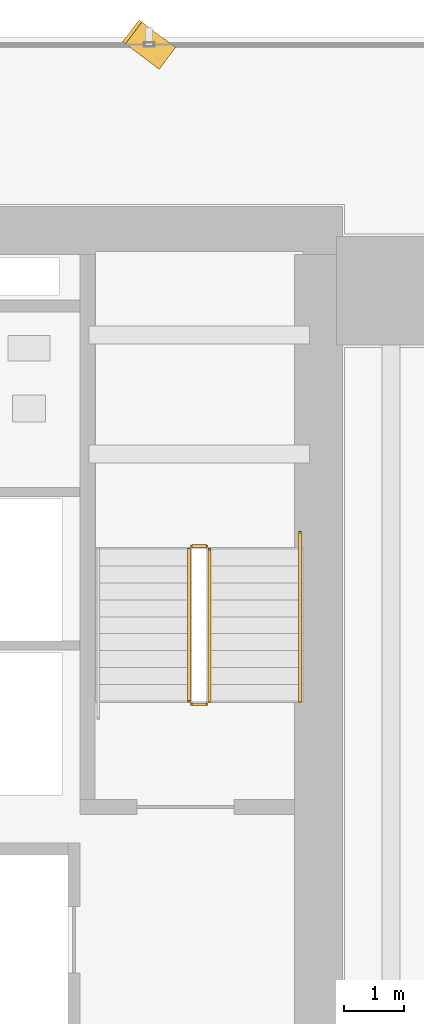
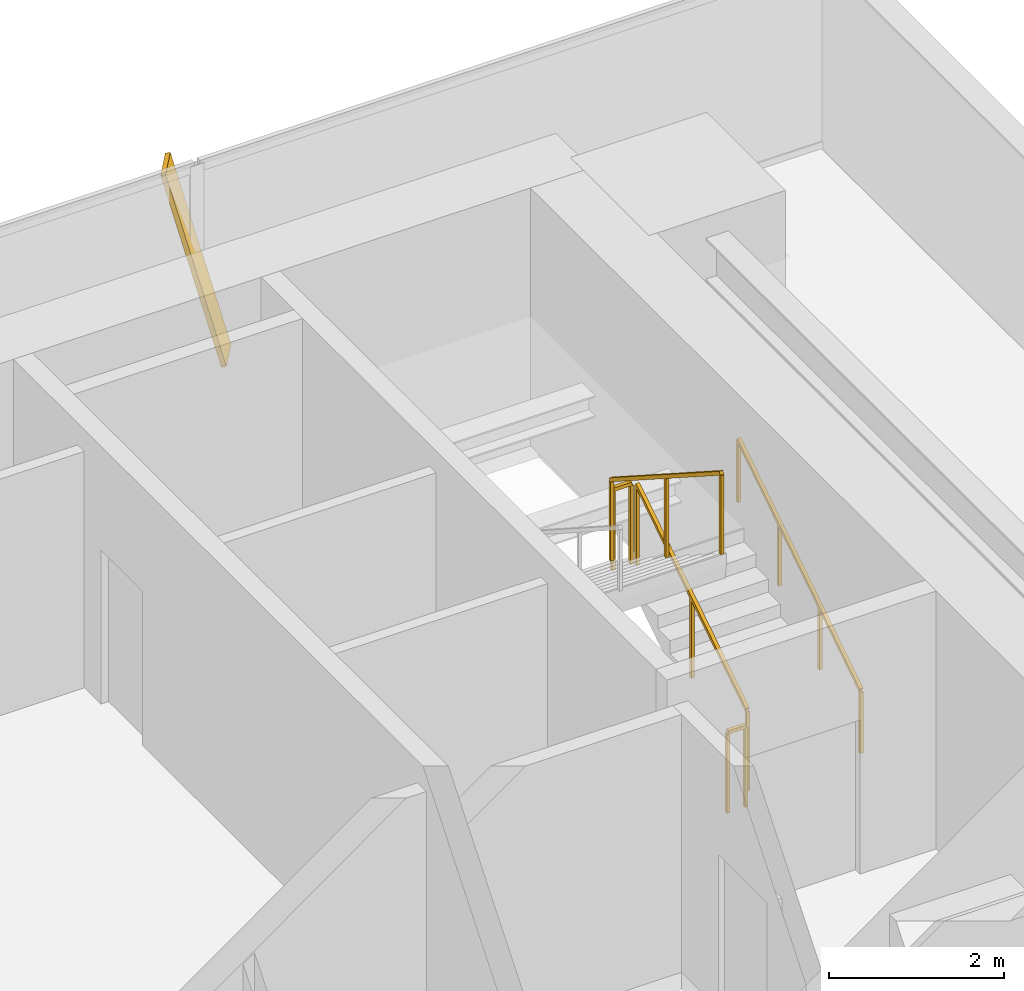
# One storey, part 32 of 33: 5 railings, 1 shading device.
"""IFC4 building model written with IfcOpenShell, lengths in metres."""

from ifc_helpers import new_model, si_unit, direction, frame, origin, origin_2d, place, context, subcontext, project, spatial, rectangle, extrude, source, transform, mapped, material, material_profile, profile_set, type_object, element, save


model = new_model("IFC4")

# Units and contexts
model_context = context("Model", 3, precision=1e-05, world=origin(), true_north=direction((0.0, 1.0)))
body_context = subcontext(model_context, "Body", "Model", "MODEL_VIEW")
ifc_project = project(units=[si_unit("LENGTHUNIT", "METRE"), si_unit("AREAUNIT", "SQUARE_METRE"), si_unit("VOLUMEUNIT", "CUBIC_METRE"), si_unit("PLANEANGLEUNIT", "RADIAN"), si_unit("MASSUNIT", "GRAM", prefix="KILO")], contexts=[model_context])

# Site, building, storey
site_placement = place(None, origin())
site = spatial("IfcSite", under=ifc_project, at=site_placement, CompositionType="ELEMENT")
building_placement = place(site_placement, origin())
building = spatial("IfcBuilding", under=site, at=building_placement, Name="Sumidabori Civic Tower", CompositionType="ELEMENT")
storey_placement = place(building_placement, frame((0.0, 0.0, 66.800048828125)))
storey = spatial("IfcBuildingStorey", under=building, at=storey_placement, Name="L17", CompositionType="ELEMENT", Elevation=66.800048828125)

# Railings
ifc_material_1 = material(Name="Stainless Steel Hairline Finish", Category="steel")
railing_type_1 = type_object("IfcRailingType", Name="RL-HANDRAIL", PredefinedType="HANDRAIL", material=ifc_material_1)
railing_1_placement = place(storey_placement, frame((15.2900390625, 16.0, 0.179931640625)))
element("IfcRailing", 1, at=railing_1_placement, inside=storey, type_object=railing_type_1, Name="L17 ST-2 stair handrail 1", PredefinedType="HANDRAIL", context=body_context, shape_type="SweptSolid", body=[
    extrude(rectangle(XDim=0.048095703125, YDim=0.048095703125, at=origin_2d()), frame((0.0, 0.0, 0.8759765625), z_axis=(0.0, 0.840675598268, 0.541539046124), x_axis=(-1.0, 0.0, 0.0)), (0.0, 0.0, 1.0), 3.330810546875),
    extrude(rectangle(XDim=0.0419921875, YDim=0.0419921875, at=origin_2d()), origin(), (0.0, 0.0, 1.0), 0.851806640625),
    extrude(rectangle(XDim=0.0419921875, YDim=0.0419921875, at=origin_2d()), frame((0.0, 0.933349609375, 0.601318359375)), (0.0, 0.0, 1.0), 0.851806640625),
    extrude(rectangle(XDim=0.0419921875, YDim=0.0419921875, at=origin_2d()), frame((0.0, 1.86669921875, 1.202392578125)), (0.0, 0.0, 1.0), 0.851806640625),
    extrude(rectangle(XDim=0.0419921875, YDim=0.0419921875, at=origin_2d()), frame((0.0, 2.800048828125, 1.8037109375)), (0.0, 0.0, 1.0), 0.851806640625),
])
ifc_material_2 = material(Name="Steel SN490", Category="steel")
railing_type_2 = type_object("IfcRailingType", Name="RL-STAIR-GUARD", PredefinedType="GUARDRAIL", material=ifc_material_2)
railing_2_placement = place(storey_placement, frame((13.7900390625, 16.0, 0.179931640625)))
element("IfcRailing", 2, at=railing_2_placement, inside=storey, type_object=railing_type_2, Name="L17 ST-2 stair guard 1", PredefinedType="GUARDRAIL", context=body_context, shape_type="SweptSolid", body=[
    extrude(rectangle(XDim=0.048095703125, YDim=0.048095703125, at=origin_2d()), frame((0.0, 0.0, 1.1259765625), z_axis=(0.0, 0.841162588446, 0.540782303519), x_axis=(-1.0, 0.0, 0.0)), (0.0, 0.0, 1.0), 2.995849609375),
    extrude(rectangle(XDim=0.0419921875, YDim=0.0419921875, at=origin_2d()), origin(), (0.0, 0.0, 1.0), 1.101806640625),
    extrude(rectangle(XDim=0.0419921875, YDim=0.0419921875, at=origin_2d()), frame((0.0, 1.260009765625, 0.81005859375)), (0.0, 0.0, 1.0), 1.101806640625),
    extrude(rectangle(XDim=0.0419921875, YDim=0.0419921875, at=origin_2d()), frame((0.0, 2.52001953125, 1.6201171875)), (0.0, 0.0, 1.0), 1.101806640625),
])
railing_3_placement = place(storey_placement, frame((13.739990234375, 18.570068359375, 1.800048828125)))
element("IfcRailing", 3, at=railing_3_placement, inside=storey, type_object=railing_type_2, Name="L17 ST-2 stair guard 2", PredefinedType="GUARDRAIL", context=body_context, shape_type="SweptSolid", body=[
    extrude(rectangle(XDim=0.048095703125, YDim=0.048095703125, at=origin_2d()), frame((0.0, 0.0, 1.1259765625), z_axis=(-1.0, 0.0, 0.0), x_axis=(0.0, -1.0, 0.0)), (0.0, 0.0, 1.0), 0.239990234375),
    extrude(rectangle(XDim=0.0419921875, YDim=0.0419921875, at=origin_2d()), origin(), (0.0, 0.0, 1.0), 1.101806640625),
    extrude(rectangle(XDim=0.0419921875, YDim=0.0419921875, at=origin_2d()), frame((-0.239990234375, 0.0, 0.0)), (0.0, 0.0, 1.0), 1.101806640625),
])
railing_4_placement = place(storey_placement, frame((13.449951171875, 18.52001953125, 1.97998046875)))
element("IfcRailing", 4, at=railing_4_placement, inside=storey, type_object=railing_type_2, Name="L17 ST-2 stair guard 3", PredefinedType="GUARDRAIL", context=body_context, shape_type="SweptSolid", body=[
    extrude(rectangle(XDim=0.048095703125, YDim=0.048095703125, at=origin_2d()), frame((0.0, 0.0, 1.1259765625), z_axis=(0.0, -0.841199657755, 0.540724639528), x_axis=(1.0, 0.0, 0.0)), (0.0, 0.0, 1.0), 2.995849609375),
    extrude(rectangle(XDim=0.0419921875, YDim=0.0419921875, at=origin_2d()), origin(), (0.0, 0.0, 1.0), 1.101806640625),
    extrude(rectangle(XDim=0.0419921875, YDim=0.0419921875, at=origin_2d()), frame((0.0, -1.260009765625, 0.81005859375)), (0.0, 0.0, 1.0), 1.101806640625),
    extrude(rectangle(XDim=0.0419921875, YDim=0.0419921875, at=origin_2d()), frame((0.0, -2.52001953125, 1.619873046875)), (0.0, 0.0, 1.0), 1.101806640625),
])
railing_5_placement = place(storey_placement, frame((13.739990234375, 15.949951171875, 0.0)))
element("IfcRailing", 5, at=railing_5_placement, inside=storey, type_object=railing_type_2, Name="L17 ST-2 stair guard 4", PredefinedType="GUARDRAIL", context=body_context, shape_type="SweptSolid", body=[
    extrude(rectangle(XDim=0.048095703125, YDim=0.048095703125, at=origin_2d()), frame((0.0, 0.0, 1.1259765625), z_axis=(-1.0, 0.0, 0.0), x_axis=(0.0, -1.0, 0.0)), (0.0, 0.0, 1.0), 0.239990234375),
    extrude(rectangle(XDim=0.0419921875, YDim=0.0419921875, at=origin_2d()), origin(), (0.0, 0.0, 1.0), 1.101806640625),
    extrude(rectangle(XDim=0.0419921875, YDim=0.0419921875, at=origin_2d()), frame((-0.239990234375, 0.0, 0.0)), (0.0, 0.0, 1.0), 1.101806640625),
])

# Shading device
ifc_material_3 = material(Name="Anodised Bronze Aluminium AW-6063-T6", Category="aluminium")
ifc_material_profile = material_profile(ifc_material_3, rectangle(XDim=0.06005859375, YDim=0.449951171875, at=origin_2d()), Name="BRONZE FIN 450x60")
ifc_profile_set = profile_set([ifc_material_profile], Name="Anodised Bronze Aluminium AW-6063-T6")
shading_device_type = type_object("IfcShadingDeviceType", Name="SH-FIN-450", PredefinedType="USERDEFINED", material=ifc_profile_set)
shared_shape = source(origin(), body_context, "Body", "SweptSolid", [
    extrude(rectangle(XDim=0.06005859375, YDim=0.449951171875, at=origin_2d()), origin(), (0.0, 0.0, 1.0), 2.7119140625),
])
shading_device_placement = place(storey_placement, frame((13.072021484375, 26.669921875, 0.02001953125), z_axis=(-0.206525378956, 0.154939048467, 0.966095833294), x_axis=(0.77279580864, -0.579765294974, 0.258183734756)))
element("IfcShadingDevice", 6, at=shading_device_placement, inside=storey, type_object=shading_device_type, Name="Bronze Anodised Diagonal Fin L17-01", ObjectType="FIN", PredefinedType="USERDEFINED", context=body_context, shape_type="MappedRepresentation", body=[
    mapped(shared_shape, transform((0.0, 0.0, 0.0), x_axis=(1.0, 0.0, 0.0), y_axis=(0.0, 1.0, 0.0), z_axis=(0.0, 0.0, 1.0), scale=1.0)),
])

save(model, "model.ifc")
